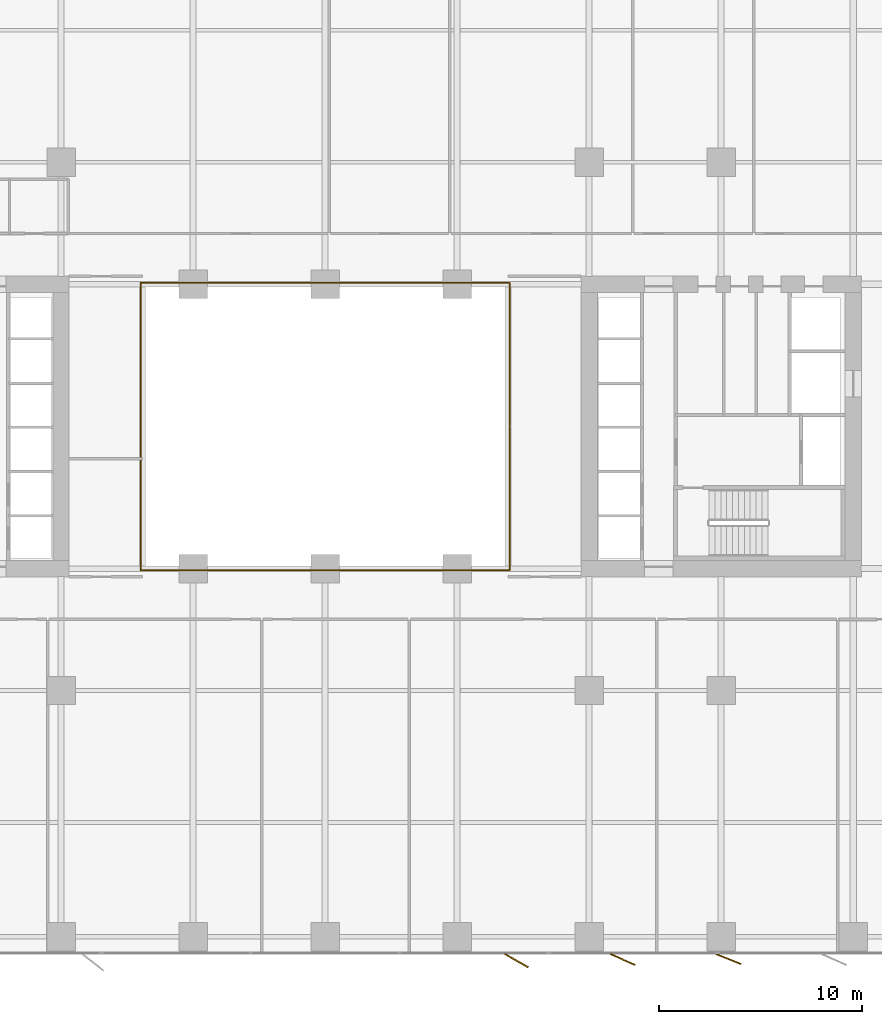
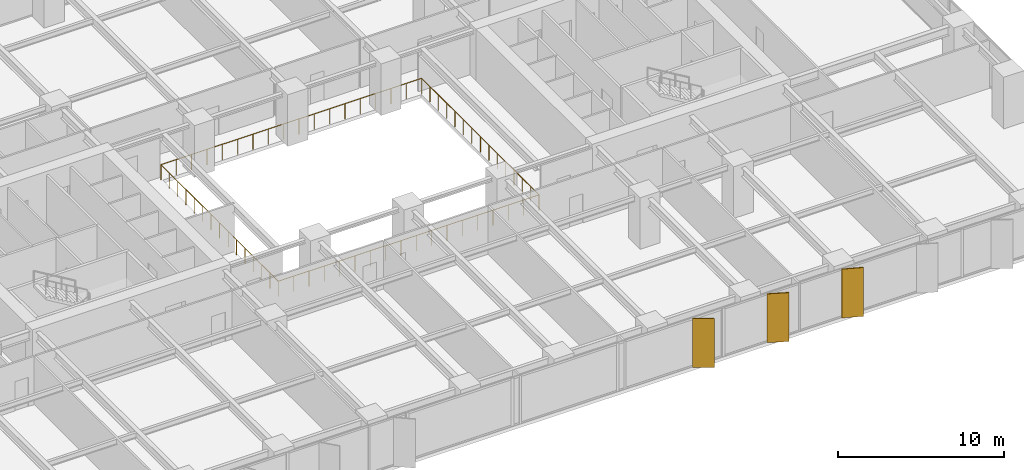
# One storey, part 18 of 20: 3 shading devices, 2 railings.
"""IFC4 building model written with IfcOpenShell, lengths in metres."""

from ifc_helpers import new_model, si_unit, direction, frame, origin, origin_2d, place, context, subcontext, project, spatial, rectangle, circle, extrude, material, layer, layer_set, type_object, element, save


model = new_model("IFC4")

# Units and contexts
model_context = context("Model", 3, precision=1e-05, world=origin(), true_north=direction((0.0, 1.0)))
body_context = subcontext(model_context, "Body", "Model", "MODEL_VIEW")
ifc_project = project(units=[si_unit("LENGTHUNIT", "METRE"), si_unit("AREAUNIT", "SQUARE_METRE"), si_unit("VOLUMEUNIT", "CUBIC_METRE"), si_unit("PLANEANGLEUNIT", "RADIAN"), si_unit("MASSUNIT", "GRAM", prefix="KILO")], contexts=[model_context])

# Site, building, storey
site_placement = place(None, origin())
site = spatial("IfcSite", under=ifc_project, at=site_placement, CompositionType="ELEMENT")
building_placement = place(site_placement, origin())
building = spatial("IfcBuilding", under=site, at=building_placement, Name="Putna Gate Headquarters", CompositionType="ELEMENT")
storey_placement = place(building_placement, frame((0.0, 0.0, 73.39990234375)))
storey = spatial("IfcBuildingStorey", under=building, at=storey_placement, Name="L17", CompositionType="ELEMENT", Elevation=73.39990234375)

# Railings
ifc_material_1 = material(Name="Anodised bronze and laminated glass atrium balustrade", Category="glass")
railing_type = type_object("IfcRailingType", Name="RAIL-ATRIUM-GUARD-1150", PredefinedType="GUARDRAIL", material=ifc_material_1)
railing_1_placement = place(storey_placement, frame((29.919921875, 25.969970703125, 0.0)))
element("IfcRailing", 1, at=railing_1_placement, inside=storey, type_object=railing_type, Name="L17 Central Atrium Glazed Balustrade South", PredefinedType="GUARDRAIL", context=body_context, shape_type="SweptSolid", body=[
    extrude(circle(Radius=0.02392578125, at=origin_2d()), frame((0.0, 0.0, 1.1259765625), z_axis=(0.0, -1.0, 0.0), x_axis=(1.0, 0.0, 0.0)), (0.0, 0.0, 1.0), 7.050048828125),
    extrude(circle(Radius=0.02392578125, at=origin_2d()), frame((0.0, -7.050048828125, 1.1259765625), z_axis=(1.0, 0.0, 0.0), x_axis=(0.0, 1.0, 0.0)), (0.0, 0.0, 1.0), 18.16015625),
    extrude(circle(Radius=0.02392578125, at=origin_2d()), frame((18.16015625, -7.050048828125, 1.1259765625), z_axis=(0.0, 1.0, 0.0), x_axis=(-1.0, 0.0, 0.0)), (0.0, 0.0, 1.0), 7.050048828125),
    extrude(circle(Radius=0.02099609375, at=origin_2d()), origin(), (0.0, 0.0, 1.0), 1.101806640625),
    extrude(circle(Radius=0.02099609375, at=origin_2d()), frame((0.0, -1.007080078125, 0.0)), (0.0, 0.0, 1.0), 1.101806640625),
    extrude(circle(Radius=0.02099609375, at=origin_2d()), frame((0.0, -2.014404296875, 0.0)), (0.0, 0.0, 1.0), 1.101806640625),
    extrude(circle(Radius=0.02099609375, at=origin_2d()), frame((0.0, -3.021484375, 0.0)), (0.0, 0.0, 1.0), 1.101806640625),
    extrude(circle(Radius=0.02099609375, at=origin_2d()), frame((0.0, -4.028564453125, 0.0)), (0.0, 0.0, 1.0), 1.101806640625),
    extrude(circle(Radius=0.02099609375, at=origin_2d()), frame((0.0, -5.03564453125, 0.0)), (0.0, 0.0, 1.0), 1.101806640625),
    extrude(circle(Radius=0.02099609375, at=origin_2d()), frame((0.0, -6.04296875, 0.0)), (0.0, 0.0, 1.0), 1.101806640625),
    extrude(circle(Radius=0.02099609375, at=origin_2d()), frame((0.0, -7.050048828125, 0.0)), (0.0, 0.0, 1.0), 1.101806640625),
    extrude(circle(Radius=0.02099609375, at=origin_2d()), frame((1.068359375, -7.050048828125, 0.0)), (0.0, 0.0, 1.0), 1.101806640625),
    extrude(circle(Radius=0.02099609375, at=origin_2d()), frame((2.136474609375, -7.050048828125, 0.0)), (0.0, 0.0, 1.0), 1.101806640625),
    extrude(circle(Radius=0.02099609375, at=origin_2d()), frame((3.204833984375, -7.050048828125, 0.0)), (0.0, 0.0, 1.0), 1.101806640625),
    extrude(circle(Radius=0.02099609375, at=origin_2d()), frame((4.27294921875, -7.050048828125, 0.0)), (0.0, 0.0, 1.0), 1.101806640625),
    extrude(circle(Radius=0.02099609375, at=origin_2d()), frame((5.34130859375, -7.050048828125, 0.0)), (0.0, 0.0, 1.0), 1.101806640625),
    extrude(circle(Radius=0.02099609375, at=origin_2d()), frame((6.409423828125, -7.050048828125, 0.0)), (0.0, 0.0, 1.0), 1.101806640625),
    extrude(circle(Radius=0.02099609375, at=origin_2d()), frame((7.477783203125, -7.050048828125, 0.0)), (0.0, 0.0, 1.0), 1.101806640625),
    extrude(circle(Radius=0.02099609375, at=origin_2d()), frame((8.5458984375, -7.050048828125, 0.0)), (0.0, 0.0, 1.0), 1.101806640625),
    extrude(circle(Radius=0.02099609375, at=origin_2d()), frame((9.6142578125, -7.050048828125, 0.0)), (0.0, 0.0, 1.0), 1.101806640625),
    extrude(circle(Radius=0.02099609375, at=origin_2d()), frame((10.682373046875, -7.050048828125, 0.0)), (0.0, 0.0, 1.0), 1.101806640625),
    extrude(circle(Radius=0.02099609375, at=origin_2d()), frame((11.750732421875, -7.050048828125, 0.0)), (0.0, 0.0, 1.0), 1.101806640625),
    extrude(circle(Radius=0.02099609375, at=origin_2d()), frame((12.81884765625, -7.050048828125, 0.0)), (0.0, 0.0, 1.0), 1.101806640625),
    extrude(circle(Radius=0.02099609375, at=origin_2d()), frame((13.88720703125, -7.050048828125, 0.0)), (0.0, 0.0, 1.0), 1.101806640625),
    extrude(circle(Radius=0.02099609375, at=origin_2d()), frame((14.955322265625, -7.050048828125, 0.0)), (0.0, 0.0, 1.0), 1.101806640625),
    extrude(circle(Radius=0.02099609375, at=origin_2d()), frame((16.023681640625, -7.050048828125, 0.0)), (0.0, 0.0, 1.0), 1.101806640625),
    extrude(circle(Radius=0.02099609375, at=origin_2d()), frame((17.091796875, -7.050048828125, 0.0)), (0.0, 0.0, 1.0), 1.101806640625),
    extrude(circle(Radius=0.02099609375, at=origin_2d()), frame((18.16015625, -7.050048828125, 0.0)), (0.0, 0.0, 1.0), 1.101806640625),
    extrude(circle(Radius=0.02099609375, at=origin_2d()), frame((18.16015625, -6.04296875, 0.0)), (0.0, 0.0, 1.0), 1.101806640625),
    extrude(circle(Radius=0.02099609375, at=origin_2d()), frame((18.16015625, -5.03564453125, 0.0)), (0.0, 0.0, 1.0), 1.101806640625),
    extrude(circle(Radius=0.02099609375, at=origin_2d()), frame((18.16015625, -4.028564453125, 0.0)), (0.0, 0.0, 1.0), 1.101806640625),
    extrude(circle(Radius=0.02099609375, at=origin_2d()), frame((18.16015625, -3.021484375, 0.0)), (0.0, 0.0, 1.0), 1.101806640625),
    extrude(circle(Radius=0.02099609375, at=origin_2d()), frame((18.16015625, -2.014404296875, 0.0)), (0.0, 0.0, 1.0), 1.101806640625),
    extrude(circle(Radius=0.02099609375, at=origin_2d()), frame((18.16015625, -1.007080078125, 0.0)), (0.0, 0.0, 1.0), 1.101806640625),
    extrude(circle(Radius=0.02099609375, at=origin_2d()), frame((18.16015625, 0.0, 0.0)), (0.0, 0.0, 1.0), 1.101806640625),
])
railing_2_placement = place(storey_placement, frame((48.080078125, 26.030029296875, 0.0)))
element("IfcRailing", 2, at=railing_2_placement, inside=storey, type_object=railing_type, Name="L17 Central Atrium Glazed Balustrade North", PredefinedType="GUARDRAIL", context=body_context, shape_type="SweptSolid", body=[
    extrude(circle(Radius=0.02392578125, at=origin_2d()), frame((0.0, 0.0, 1.1259765625), z_axis=(0.0, 1.0, 0.0), x_axis=(-1.0, 0.0, 0.0)), (0.0, 0.0, 1.0), 7.050048828125),
    extrude(circle(Radius=0.02392578125, at=origin_2d()), frame((0.0, 7.050048828125, 1.1259765625), z_axis=(-1.0, 0.0, 0.0), x_axis=(0.0, -1.0, 0.0)), (0.0, 0.0, 1.0), 18.16015625),
    extrude(circle(Radius=0.02392578125, at=origin_2d()), frame((-18.16015625, 7.050048828125, 1.1259765625), z_axis=(0.0, -1.0, 0.0), x_axis=(1.0, 0.0, 0.0)), (0.0, 0.0, 1.0), 7.050048828125),
    extrude(circle(Radius=0.02099609375, at=origin_2d()), origin(), (0.0, 0.0, 1.0), 1.101806640625),
    extrude(circle(Radius=0.02099609375, at=origin_2d()), frame((0.0, 1.007080078125, 0.0)), (0.0, 0.0, 1.0), 1.101806640625),
    extrude(circle(Radius=0.02099609375, at=origin_2d()), frame((0.0, 2.014404296875, 0.0)), (0.0, 0.0, 1.0), 1.101806640625),
    extrude(circle(Radius=0.02099609375, at=origin_2d()), frame((0.0, 3.021484375, 0.0)), (0.0, 0.0, 1.0), 1.101806640625),
    extrude(circle(Radius=0.02099609375, at=origin_2d()), frame((0.0, 4.028564453125, 0.0)), (0.0, 0.0, 1.0), 1.101806640625),
    extrude(circle(Radius=0.02099609375, at=origin_2d()), frame((0.0, 5.03564453125, 0.0)), (0.0, 0.0, 1.0), 1.101806640625),
    extrude(circle(Radius=0.02099609375, at=origin_2d()), frame((0.0, 6.04296875, 0.0)), (0.0, 0.0, 1.0), 1.101806640625),
    extrude(circle(Radius=0.02099609375, at=origin_2d()), frame((0.0, 7.050048828125, 0.0)), (0.0, 0.0, 1.0), 1.101806640625),
    extrude(circle(Radius=0.02099609375, at=origin_2d()), frame((-1.068359375, 7.050048828125, 0.0)), (0.0, 0.0, 1.0), 1.101806640625),
    extrude(circle(Radius=0.02099609375, at=origin_2d()), frame((-2.136474609375, 7.050048828125, 0.0)), (0.0, 0.0, 1.0), 1.101806640625),
    extrude(circle(Radius=0.02099609375, at=origin_2d()), frame((-3.204833984375, 7.050048828125, 0.0)), (0.0, 0.0, 1.0), 1.101806640625),
    extrude(circle(Radius=0.02099609375, at=origin_2d()), frame((-4.27294921875, 7.050048828125, 0.0)), (0.0, 0.0, 1.0), 1.101806640625),
    extrude(circle(Radius=0.02099609375, at=origin_2d()), frame((-5.34130859375, 7.050048828125, 0.0)), (0.0, 0.0, 1.0), 1.101806640625),
    extrude(circle(Radius=0.02099609375, at=origin_2d()), frame((-6.409423828125, 7.050048828125, 0.0)), (0.0, 0.0, 1.0), 1.101806640625),
    extrude(circle(Radius=0.02099609375, at=origin_2d()), frame((-7.477783203125, 7.050048828125, 0.0)), (0.0, 0.0, 1.0), 1.101806640625),
    extrude(circle(Radius=0.02099609375, at=origin_2d()), frame((-8.5458984375, 7.050048828125, 0.0)), (0.0, 0.0, 1.0), 1.101806640625),
    extrude(circle(Radius=0.02099609375, at=origin_2d()), frame((-9.6142578125, 7.050048828125, 0.0)), (0.0, 0.0, 1.0), 1.101806640625),
    extrude(circle(Radius=0.02099609375, at=origin_2d()), frame((-10.682373046875, 7.050048828125, 0.0)), (0.0, 0.0, 1.0), 1.101806640625),
    extrude(circle(Radius=0.02099609375, at=origin_2d()), frame((-11.750732421875, 7.050048828125, 0.0)), (0.0, 0.0, 1.0), 1.101806640625),
    extrude(circle(Radius=0.02099609375, at=origin_2d()), frame((-12.81884765625, 7.050048828125, 0.0)), (0.0, 0.0, 1.0), 1.101806640625),
    extrude(circle(Radius=0.02099609375, at=origin_2d()), frame((-13.88720703125, 7.050048828125, 0.0)), (0.0, 0.0, 1.0), 1.101806640625),
    extrude(circle(Radius=0.02099609375, at=origin_2d()), frame((-14.955322265625, 7.050048828125, 0.0)), (0.0, 0.0, 1.0), 1.101806640625),
    extrude(circle(Radius=0.02099609375, at=origin_2d()), frame((-16.023681640625, 7.050048828125, 0.0)), (0.0, 0.0, 1.0), 1.101806640625),
    extrude(circle(Radius=0.02099609375, at=origin_2d()), frame((-17.091796875, 7.050048828125, 0.0)), (0.0, 0.0, 1.0), 1.101806640625),
    extrude(circle(Radius=0.02099609375, at=origin_2d()), frame((-18.16015625, 7.050048828125, 0.0)), (0.0, 0.0, 1.0), 1.101806640625),
    extrude(circle(Radius=0.02099609375, at=origin_2d()), frame((-18.16015625, 6.04296875, 0.0)), (0.0, 0.0, 1.0), 1.101806640625),
    extrude(circle(Radius=0.02099609375, at=origin_2d()), frame((-18.16015625, 5.03564453125, 0.0)), (0.0, 0.0, 1.0), 1.101806640625),
    extrude(circle(Radius=0.02099609375, at=origin_2d()), frame((-18.16015625, 4.028564453125, 0.0)), (0.0, 0.0, 1.0), 1.101806640625),
    extrude(circle(Radius=0.02099609375, at=origin_2d()), frame((-18.16015625, 3.021484375, 0.0)), (0.0, 0.0, 1.0), 1.101806640625),
    extrude(circle(Radius=0.02099609375, at=origin_2d()), frame((-18.16015625, 2.014404296875, 0.0)), (0.0, 0.0, 1.0), 1.101806640625),
    extrude(circle(Radius=0.02099609375, at=origin_2d()), frame((-18.16015625, 1.007080078125, 0.0)), (0.0, 0.0, 1.0), 1.101806640625),
    extrude(circle(Radius=0.02099609375, at=origin_2d()), frame((-18.16015625, 0.0, 0.0)), (0.0, 0.0, 1.0), 1.101806640625),
])

# Shading devices
ifc_material_2 = material(Name="Anodised architectural bronze aluminium fin", Category="aluminium")
ifc_layer = layer(ifc_material_2, 0.06494140625)
ifc_layer_set = layer_set([ifc_layer], Name="Anodised architectural bronze aluminium fin")
shading_device_type = type_object("IfcShadingDeviceType", Name="SHADE-BRONZE-FIN-1320", PredefinedType="USERDEFINED", material=ifc_layer_set)
for number, where, z_axis, x_axis, name in (
    (3, (48.423828125, -0.30126953125, -0.02001953125), (0.0, 0.0, 1.0), (0.869322458298, -0.494245347472, 0.0), "L17 Bronze Vertical Shading Fin S8"),
    (4, (53.653076171875, -0.2431640625, -0.02001953125), (0.0, 0.0, 1.0), (0.913687379856, -0.40641773078, 0.0), "L17 Bronze Vertical Shading Fin S9"),
    (5, (58.86181640625, -0.22216796875, -0.02001953125), (0.0, 0.0, 1.0), (0.927183854567, -0.374606593416, 0.0), "L17 Bronze Vertical Shading Fin S10"),
):
    element("IfcShadingDevice", number, at=place(storey_placement, frame(where, z_axis=z_axis, x_axis=x_axis)), inside=storey, type_object=shading_device_type, Name=name, ObjectType="FIN", PredefinedType="USERDEFINED", context=body_context, shape_type="SweptSolid", body=[
        extrude(rectangle(XDim=1.320068359375, YDim=0.06494140625, at=origin_2d()), origin(), (0.0, 0.0, 1.0), 3.590087890625),
    ])

save(model, "model.ifc")
